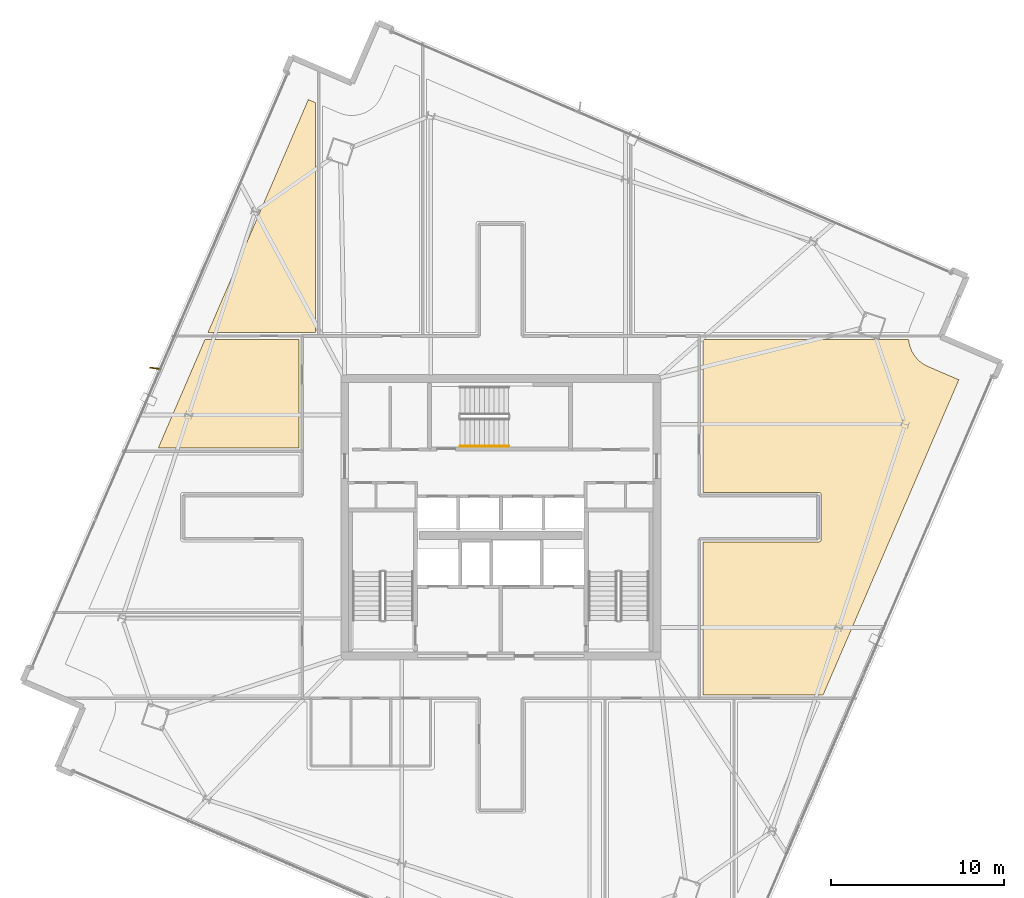
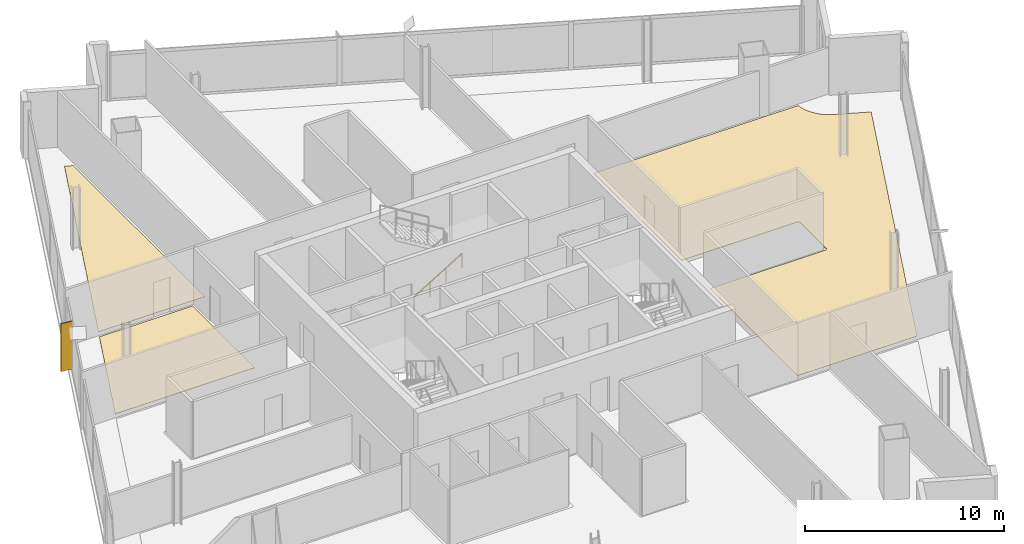
# One storey, part 26 of 28: 3 coverings, 1 railing, 1 shading device.
"""IFC4 building model written with IfcOpenShell, lengths in metres."""

from ifc_helpers import new_model, si_unit, direction, frame, origin, origin_2d, place, context, subcontext, project, spatial, polyline, rectangle, outline, extrude, source, transform, mapped, material, layer, layer_set, type_object, element, save


model = new_model("IFC4")

# Units and contexts
model_context = context("Model", 3, precision=1e-05, world=origin(), true_north=direction((0.0, 1.0)))
body_context = subcontext(model_context, "Body", "Model", "MODEL_VIEW")
ifc_project = project(units=[si_unit("LENGTHUNIT", "METRE"), si_unit("AREAUNIT", "SQUARE_METRE"), si_unit("VOLUMEUNIT", "CUBIC_METRE"), si_unit("PLANEANGLEUNIT", "RADIAN"), si_unit("MASSUNIT", "GRAM", prefix="KILO")], contexts=[model_context])

# Site, building, storey
site_placement = place(None, origin())
site = spatial("IfcSite", under=ifc_project, at=site_placement, CompositionType="ELEMENT")
building_placement = place(site_placement, origin())
building = spatial("IfcBuilding", under=site, at=building_placement, Name="Haldenkirk Collegiate Tower", CompositionType="ELEMENT")
storey_placement = place(building_placement, frame((0.0, 0.0, 252.449951171875)))
storey = spatial("IfcBuildingStorey", under=building, at=storey_placement, Name="L63", CompositionType="ELEMENT", Elevation=252.449951171875)

# Coverings
ifc_material_1 = material(Name="Polished collegiate terrazzo", Category="concrete")
ifc_layer_1 = layer(ifc_material_1, 0.02490234375)
ifc_layer_set_1 = layer_set([ifc_layer_1], Name="Polished collegiate terrazzo")
covering_type_1 = type_object("IfcCoveringType", Name="COV-FLOOR-TERRAZZO", PredefinedType="FLOORING", material=ifc_layer_set_1)
covering_1_placement = place(storey_placement, origin())
element("IfcCovering", 1, at=covering_1_placement, inside=storey, type_object=covering_type_1, Name="L63 academic room finish 04", PredefinedType="FLOORING", context=body_context, shape_type="SweptSolid", body=[
    extrude(outline(polyline([(25.300048828125, 49.91259765625), (25.300048828125, 36.64990234375), (19.104736328125, 36.64990234375), (24.89208984375, 50.088134765625), (25.300048828125, 49.91259765625)])), origin(), (0.0, 0.0, 1.0), 0.025146484375),
])
covering_2_placement = place(storey_placement, origin())
element("IfcCovering", 2, at=covering_2_placement, inside=storey, type_object=covering_type_1, Name="L63 academic room finish 10", PredefinedType="FLOORING", context=body_context, shape_type="SweptSolid", body=[
    extrude(outline(polyline([(18.9326171875, 36.25), (24.35009765625, 36.25), (24.35009765625, 30.0), (16.24072265625, 30.0), (18.9326171875, 36.25)])), origin(), (0.0, 0.0, 1.0), 0.025146484375),
])
ifc_material_2 = material(Name="Engineered collegiate oak acoustic flooring", Category="wood")
ifc_layer_2 = layer(ifc_material_2, 0.02197265625)
ifc_layer_set_2 = layer_set([ifc_layer_2], Name="Engineered collegiate oak acoustic flooring")
covering_type_2 = type_object("IfcCoveringType", Name="COV-FLOOR-TIMBER", PredefinedType="FLOORING", material=ifc_layer_set_2)
covering_3_placement = place(storey_placement, origin())
element("IfcCovering", 3, at=covering_3_placement, inside=storey, type_object=covering_type_2, Name="L63 academic room finish 11", PredefinedType="FLOORING", context=body_context, shape_type="SweptSolid", body=[
    extrude(outline(polyline([(59.523681640625, 36.25), (59.524169921875, 36.243896484375), (59.547119140625, 36.07373046875), (59.549072265625, 36.062255859375), (59.58837890625, 35.89501953125), (59.591796875, 35.8837890625), (59.6474609375, 35.72119140625), (59.651611328125, 35.710205078125), (59.722900390625, 35.553955078125), (59.728515625, 35.543701171875), (59.814697265625, 35.39501953125), (59.821044921875, 35.38525390625), (59.92138671875, 35.245849609375), (59.9287109375, 35.236572265625), (60.042236328125, 35.10791015625), (60.050537109375, 35.099365234375), (60.176025390625, 34.982177734375), (60.18505859375, 34.974609375), (60.321533203125, 34.870361328125), (60.331298828125, 34.863525390625), (60.477294921875, 34.773193359375), (60.48779296875, 34.767578125), (60.641845703125, 34.692138671875), (60.647216796875, 34.689697265625), (62.419921875, 33.92626953125), (54.591796875, 15.75), (47.64990234375, 15.75), (47.64990234375, 24.580078125), (54.35009765625, 24.580078125), (54.36181640625, 24.58056640625), (54.373291015625, 24.582275390625), (54.384765625, 24.585205078125), (54.39599609375, 24.589111328125), (54.406494140625, 24.59423828125), (54.416748046875, 24.60009765625), (54.426025390625, 24.607177734375), (54.434814453125, 24.614990234375), (54.44287109375, 24.623779296875), (54.44970703125, 24.63330078125), (54.455810546875, 24.643310546875), (54.4609375, 24.654052734375), (54.46484375, 24.665283203125), (54.4677734375, 24.676513671875), (54.469482421875, 24.688232421875), (54.469970703125, 24.699951171875), (54.469970703125, 27.300048828125), (54.469482421875, 27.311767578125), (54.4677734375, 27.323486328125), (54.46484375, 27.334716796875), (54.4609375, 27.345947265625), (54.455810546875, 27.356689453125), (54.44970703125, 27.36669921875), (54.44287109375, 27.376220703125), (54.434814453125, 27.385009765625), (54.426025390625, 27.392822265625), (54.416748046875, 27.39990234375), (54.406494140625, 27.40576171875), (54.39599609375, 27.410888671875), (54.384765625, 27.414794921875), (54.373291015625, 27.417724609375), (54.36181640625, 27.41943359375), (54.35009765625, 27.419921875), (47.64990234375, 27.419921875), (47.64990234375, 36.25), (59.523681640625, 36.25)])), origin(), (0.0, 0.0, 1.0), 0.02197265625),
])

# Railing
ifc_material_3 = material(Name="Painted architectural tubular steel", Category="steel")
railing_type = type_object("IfcRailingType", Name="RLG-STAIR-HANDRAIL-900", PredefinedType="HANDRAIL", material=ifc_material_3)
railing_placement = place(storey_placement, frame((33.64990234375, 30.10009765625, 0.17041015625)))
element("IfcRailing", 4, at=railing_placement, inside=storey, type_object=railing_type, Name="L63 ST-3 stair handrail 1", PredefinedType="HANDRAIL", context=body_context, shape_type="SweptSolid", body=[
    extrude(rectangle(XDim=0.048095703125, YDim=0.048095703125, at=origin_2d()), frame((0.0, 0.0, 0.8759765625), z_axis=(0.854169791009, 0.0, 0.51999420009), x_axis=(0.0, 1.0, 0.0)), (0.0, 0.0, 1.0), 3.278076171875),
    extrude(rectangle(XDim=0.0419921875, YDim=0.0419921875, at=origin_2d()), origin(), (0.0, 0.0, 1.0), 0.851806640625),
    extrude(rectangle(XDim=0.0419921875, YDim=0.0419921875, at=origin_2d()), frame((0.933349609375, 0.0, 0.568115234375)), (0.0, 0.0, 1.0), 0.851806640625),
    extrude(rectangle(XDim=0.0419921875, YDim=0.0419921875, at=origin_2d()), frame((1.86669921875, 0.0, 1.136474609375)), (0.0, 0.0, 1.0), 0.851806640625),
    extrude(rectangle(XDim=0.0419921875, YDim=0.0419921875, at=origin_2d()), frame((2.800048828125, 0.0, 1.70458984375)), (0.0, 0.0, 1.0), 0.851806640625),
])

# Shading device
ifc_material_4 = material(Name="Anodised architectural bronze aluminium", Category="aluminium")
ifc_layer_3 = layer(ifc_material_4, 0.06494140625)
ifc_layer_set_3 = layer_set([ifc_layer_3], Name="Anodised architectural bronze aluminium")
shading_device_type = type_object("IfcShadingDeviceType", Name="SHD-FIN-BRONZE-620", PredefinedType="USERDEFINED", material=ifc_layer_set_3)
shared_shape = source(origin(), body_context, "Body", "SweptSolid", [
    extrude(rectangle(XDim=0.6201171875, YDim=0.06494140625, at=origin_2d()), origin(), (0.0, 0.0, 1.0), 2.93798828125),
])
shading_device_placement = place(storey_placement, frame((16.055908203125, 34.589111328125, 0.0), z_axis=(0.0, 0.0, 1.0), x_axis=(-0.99189444259, 0.127064608601, 0.0)))
element("IfcShadingDevice", 5, at=shading_device_placement, inside=storey, type_object=shading_device_type, Name="L63 folded bronze solar fin 1", ObjectType="FIN", PredefinedType="USERDEFINED", context=body_context, shape_type="MappedRepresentation", body=[
    mapped(shared_shape, transform((0.0, 0.0, 0.0), x_axis=(1.0, 0.0, 0.0), y_axis=(0.0, 1.0, 0.0), z_axis=(0.0, 0.0, 1.0), scale=1.0)),
])

save(model, "model.ifc")
